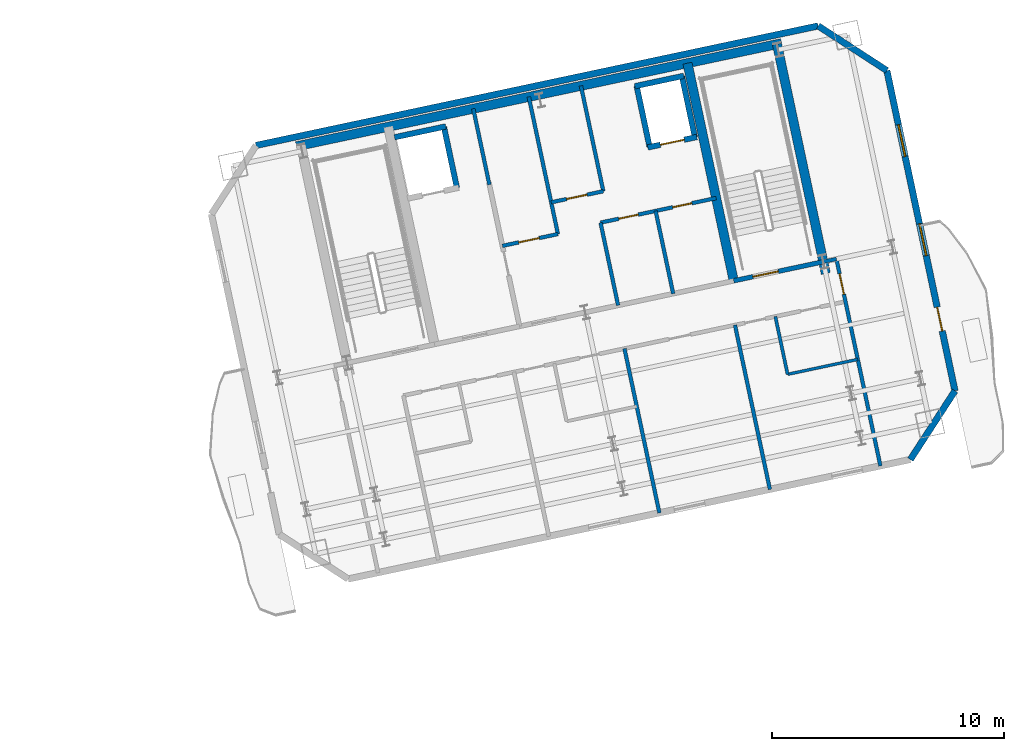
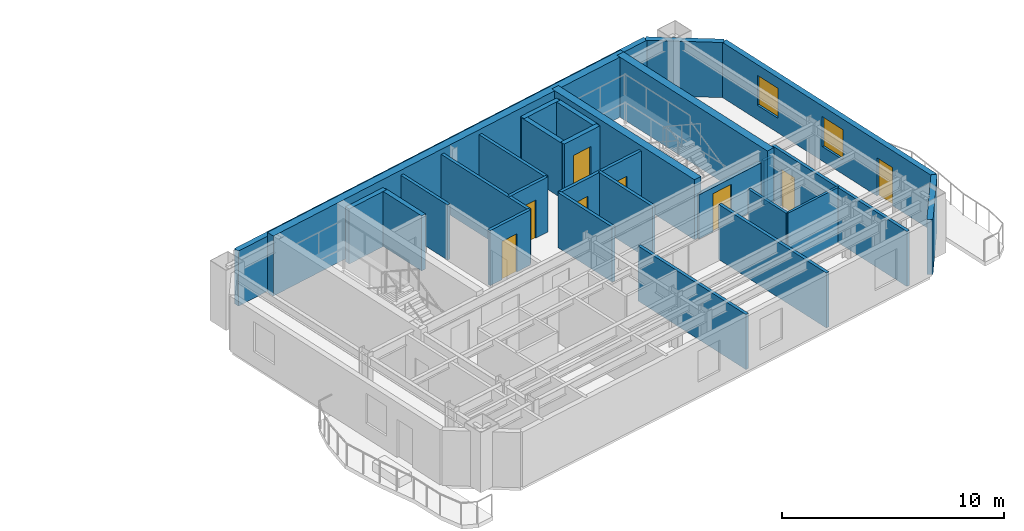
# One storey, part 9 of 14: 28 walls, 8 doors, 2 windows, 10 openings.
"""IFC4 building model written with IfcOpenShell, lengths in metres."""

from ifc_helpers import new_model, si_unit, direction, frame, frame_2d, origin, place, context, subcontext, project, spatial, rectangle, extrude, material, layer, layer_set, type_object, element, fill, save


model = new_model("IFC4")

# Units and contexts
model_context = context("Model", 3, precision=1e-05, world=origin(), true_north=direction((0.0, 1.0)))
body_context = subcontext(model_context, "Body", "Model", "MODEL_VIEW")
ifc_project = project(units=[si_unit("LENGTHUNIT", "METRE"), si_unit("AREAUNIT", "SQUARE_METRE"), si_unit("VOLUMEUNIT", "CUBIC_METRE"), si_unit("PLANEANGLEUNIT", "RADIAN"), si_unit("MASSUNIT", "GRAM", prefix="KILO")], contexts=[model_context])

# Site, building, storey
site_placement = place(None, origin())
site = spatial("IfcSite", under=ifc_project, at=site_placement, CompositionType="ELEMENT")
building_placement = place(site_placement, origin())
building = spatial("IfcBuilding", under=site, at=building_placement, Name="Haevon Station Towers", CompositionType="ELEMENT")
storey_placement = place(building_placement, frame((0.0, 0.0, 212.10009765625)))
storey = spatial("IfcBuildingStorey", under=building, at=storey_placement, Name="L58", CompositionType="ELEMENT", Elevation=212.10009765625)

# Wall, opening, door
ifc_material_1 = material(Name="Gypsum board on steel stud", Category="steel")
ifc_layer_1 = layer(ifc_material_1, 0.199951171875)
ifc_layer_set_1 = layer_set([ifc_layer_1], Name="Gypsum board on steel stud")
wall_type_1 = type_object("IfcWallType", Name="WL-COR200", PredefinedType="PARTITIONING", material=ifc_layer_set_1)
wall_1_placement = place(storey_placement, frame((115.4296875, 40.9873046875, 0.0), z_axis=(0.0, 0.0, 1.0), x_axis=(0.978146596989, 0.207916413008, 0.0)))
wall_1 = element("IfcWall", 1, at=wall_1_placement, inside=storey, type_object=wall_type_1, Name="WL-ST-ST4-L58", PredefinedType="PARTITIONING", context=body_context, shape_type="SweptSolid", body=[
    extrude(rectangle(XDim=3.9501953125, YDim=0.199951171875, at=frame_2d((1.97509765625, 0.0))), origin(), (0.0, 0.0, 1.0), 2.429931640625),
])
opening_1_placement = place(wall_1_placement, frame((0.85009765625, 0.0, 0.0)))
opening_1 = element("IfcOpeningElement", 2, at=opening_1_placement, cuts=wall_1, Name="Opening DR-ST-ST4-L58", PredefinedType="OPENING", context=body_context, shape_type="SweptSolid", body=[
    extrude(rectangle(XDim=1.1201171875, YDim=2.10009765625, at=frame_2d((0.56005859375, 1.050048828125))), frame((0.0, 0.10986328125, 0.0), z_axis=(0.0, -1.0, 0.0), x_axis=(1.0, 0.0, 0.0)), (0.0, 0.0, 1.0), 0.219970703125),
])
ifc_material_2 = material(Name="Engineered oak timber", Category="wood")
door_type_1 = type_object("IfcDoorType", Name="DR-ST-1120", OperationType="NOTDEFINED", PredefinedType="DOOR", material=ifc_material_2)
door_1_placement = place(opening_1_placement, origin())
door_1 = element("IfcDoor", 3, at=door_1_placement, inside=storey, type_object=door_type_1, Name="L58 Escape Stair ST4 Fire Door", OperationType="SINGLE_SWING_LEFT", OverallHeight=2.10009765625, OverallWidth=1.1201171875, PredefinedType="DOOR", context=body_context, shape_type="SweptSolid", body=[
    extrude(rectangle(XDim=1.1201171875, YDim=2.10009765625, at=frame_2d((0.56005859375, 1.050048828125))), frame((0.0, 0.02490234375, 0.0), z_axis=(0.0, -1.0, 0.0), x_axis=(1.0, 0.0, 0.0)), (0.0, 0.0, 1.0), 0.050048828125),
])
fill(opening_1, door_1)

# Walls
ifc_material_3 = material(Name="Concrete C60/75", Category="concrete")
ifc_layer_2 = layer(ifc_material_3, 0.39990234375)
ifc_layer_set_2 = layer_set([ifc_layer_2], Name="Concrete C60/75")
wall_type_2 = type_object("IfcWallType", Name="WL-CR400", PredefinedType="SHEAR", material=ifc_layer_set_2)
wall_2_placement = place(storey_placement, frame((96.560791015625, 46.791015625, 0.0), z_axis=(0.0, 0.0, 1.0), x_axis=(0.978148498705, 0.207907466152, 0.0)))
element("IfcWall", 4, at=wall_2_placement, inside=storey, type_object=wall_type_2, Name="WL-T2CR-L58-N", PredefinedType="SHEAR", context=body_context, shape_type="SweptSolid", body=[
    extrude(rectangle(XDim=21.39990234375, YDim=0.39990234375, at=frame_2d((10.699951171875, 0.0))), origin(), (0.0, 0.0, 1.0), 3.2998046875),
])
wall_3_placement = place(storey_placement, frame((119.401611328125, 41.2998046875, 0.0), z_axis=(0.0, 0.0, 1.0), x_axis=(-0.207904342798, 0.978149162575, 0.0)))
element("IfcWall", 5, at=wall_3_placement, inside=storey, type_object=wall_type_2, Name="WL-T2CR-L58-E", PredefinedType="SHEAR", context=body_context, shape_type="SweptSolid", body=[
    extrude(rectangle(XDim=10.1201171875, YDim=0.39990234375, at=frame_2d((5.06005859375, 0.0))), origin(), (0.0, 0.0, 1.0), 3.2998046875),
])
wall_4_placement = place(storey_placement, frame((115.4296875, 40.9873046875, 0.0), z_axis=(0.0, 0.0, 1.0), x_axis=(-0.207903162969, 0.978149413345, 0.0)))
element("IfcWall", 6, at=wall_4_placement, inside=storey, type_object=wall_type_2, Name="WL-T2CR-L58-M2", PredefinedType="SHEAR", context=body_context, shape_type="SweptSolid", body=[
    extrude(rectangle(XDim=9.599853515625, YDim=0.39990234375, at=frame_2d((4.7998046875, 0.0))), origin(), (0.0, 0.0, 1.0), 3.2998046875),
])
ifc_material_4 = material(Name="Precast concrete C45/55", Category="concrete")
ifc_layer_3 = layer(ifc_material_4, 0.280029296875)
ifc_layer_set_3 = layer_set([ifc_layer_3], Name="Precast concrete C45/55")
wall_type_3 = type_object("IfcWallType", Name="WL-EXT-PIER280", PredefinedType="SOLIDWALL", material=ifc_layer_set_3)
wall_5_placement = place(storey_placement, frame((94.814697265625, 46.828857421875, 0.0), z_axis=(0.0, 0.0, 1.0), x_axis=(0.97814726544, 0.207913268245, 0.0)))
element("IfcWall", 7, at=wall_5_placement, inside=storey, type_object=wall_type_3, Name="WL-T2-L58-N", PredefinedType="SOLIDWALL", context=body_context, shape_type="SweptSolid", body=[
    extrude(rectangle(XDim=24.800048828125, YDim=0.280029296875, at=frame_2d((12.39990234375, 0.0))), origin(), (0.0, 0.0, 1.0), 3.02978515625),
])
wall_6_placement = place(storey_placement, frame((119.07275390625, 51.985107421875, 0.0), z_axis=(0.0, 0.0, 1.0), x_axis=(0.838672309694, -0.544636352948, 0.0)))
element("IfcWall", 8, at=wall_6_placement, inside=storey, type_object=wall_type_3, Name="WL-T2-L58-NEC", PredefinedType="SOLIDWALL", context=body_context, shape_type="SweptSolid", body=[
    extrude(rectangle(XDim=3.535400390625, YDim=0.280029296875, at=frame_2d((1.767578125, 0.0))), origin(), (0.0, 0.0, 1.0), 3.02978515625),
])

# Wall, openings, door, windows
wall_7_placement = place(storey_placement, frame((122.037841796875, 50.0595703125, 0.0), z_axis=(0.0, 0.0, 1.0), x_axis=(0.207924054969, -0.978144972571, 0.0)))
wall_7 = element("IfcWall", 9, at=wall_7_placement, inside=storey, type_object=wall_type_3, Name="WL-T2-L58-E", PredefinedType="SOLIDWALL", context=body_context, shape_type="SweptSolid", body=[
    extrude(rectangle(XDim=14.130126953125, YDim=0.280029296875, at=frame_2d((7.06494140625, 0.0))), origin(), (0.0, 0.0, 1.0), 3.02978515625),
])
opening_2_placement = place(wall_7_placement, frame((10.43994140625, 0.0, 0.0)))
opening_2 = element("IfcOpeningElement", 10, at=opening_2_placement, cuts=wall_7, Name="Opening DR-T2-SCAL-L58-E", PredefinedType="OPENING", context=body_context, shape_type="SweptSolid", body=[
    extrude(rectangle(XDim=1.050048828125, YDim=2.10009765625, at=frame_2d((0.52490234375, 1.050048828125))), frame((0.0, 0.14990234375, 0.0), z_axis=(0.0, -1.0, 0.0), x_axis=(1.0, 0.0, 0.0)), (0.0, 0.0, 1.0), 0.300048828125),
])
opening_3_placement = place(wall_7_placement, frame((2.389892578125, 0.0, 0.800048828125)))
opening_3 = element("IfcOpeningElement", 11, at=opening_3_placement, cuts=wall_7, Name="Opening WN-END140", PredefinedType="OPENING", context=body_context, shape_type="SweptSolid", body=[
    extrude(rectangle(XDim=1.39990234375, YDim=1.64990234375, at=frame_2d((0.699951171875, 0.824951171875))), frame((0.0, 0.14990234375, 0.0), z_axis=(0.0, -1.0, 0.0), x_axis=(1.0, 0.0, 0.0)), (0.0, 0.0, 1.0), 0.300048828125),
])
opening_4_placement = place(wall_7_placement, frame((6.762451171875, 0.0, 0.800048828125)))
opening_4 = element("IfcOpeningElement", 12, at=opening_4_placement, cuts=wall_7, Name="Opening WN-END140", PredefinedType="OPENING", context=body_context, shape_type="SweptSolid", body=[
    extrude(rectangle(XDim=1.39990234375, YDim=1.64990234375, at=frame_2d((0.699951171875, 0.824951171875))), frame((0.0, 0.14990234375, 0.0), z_axis=(0.0, -1.0, 0.0), x_axis=(1.0, 0.0, 0.0)), (0.0, 0.0, 1.0), 0.300048828125),
])
ifc_material_5 = material(Name="Thermally broken anodised aluminium and laminated safety glass", Category="aluminium")
door_type_2 = type_object("IfcDoorType", Name="DR-BALC-1050", OperationType="NOTDEFINED", PredefinedType="DOOR", material=ifc_material_5)
door_2_placement = place(opening_2_placement, origin())
door_2 = element("IfcDoor", 13, at=door_2_placement, inside=storey, type_object=door_type_2, Name="Tower 2 L58 East Scalloped Balcony Door", OperationType="SINGLE_SWING_LEFT", OverallHeight=2.10009765625, OverallWidth=1.050048828125, PredefinedType="DOOR", context=body_context, shape_type="SweptSolid", body=[
    extrude(rectangle(XDim=1.050048828125, YDim=2.10009765625, at=frame_2d((0.52490234375, 1.050048828125))), frame((0.0, 0.02490234375, 0.0), z_axis=(0.0, -1.0, 0.0), x_axis=(1.0, 0.0, 0.0)), (0.0, 0.0, 1.0), 0.050048828125),
])
fill(opening_2, door_2)
ifc_material_6 = material(Name="Low-E triple glazing in thermally broken aluminium", Category="aluminium")
window_type = type_object("IfcWindowType", Name="WN-END140", PartitioningType="SINGLE_PANEL", PredefinedType="WINDOW", material=ifc_material_6)
window_1_placement = place(opening_3_placement, origin())
window_1 = element("IfcWindow", 14, at=window_1_placement, inside=storey, type_object=window_type, Name="WN-T2-L58-E01", OverallHeight=1.64990234375, OverallWidth=1.39990234375, PartitioningType="SINGLE_PANEL", PredefinedType="WINDOW", context=body_context, shape_type="SweptSolid", body=[
    extrude(rectangle(XDim=1.39990234375, YDim=1.64990234375, at=frame_2d((0.699951171875, 0.824951171875))), frame((0.0, 0.030029296875, 0.0), z_axis=(0.0, -1.0, 0.0), x_axis=(1.0, 0.0, 0.0)), (0.0, 0.0, 1.0), 0.06005859375),
])
fill(opening_3, window_1)
window_2_placement = place(opening_4_placement, origin())
window_2 = element("IfcWindow", 15, at=window_2_placement, inside=storey, type_object=window_type, Name="WN-T2-L58-E02", OverallHeight=1.64990234375, OverallWidth=1.39990234375, PartitioningType="SINGLE_PANEL", PredefinedType="WINDOW", context=body_context, shape_type="SweptSolid", body=[
    extrude(rectangle(XDim=1.39990234375, YDim=1.64990234375, at=frame_2d((0.699951171875, 0.824951171875))), frame((0.0, 0.030029296875, 0.0), z_axis=(0.0, -1.0, 0.0), x_axis=(1.0, 0.0, 0.0)), (0.0, 0.0, 1.0), 0.06005859375),
])
fill(opening_4, window_2)

# Walls
wall_8_placement = place(storey_placement, frame((124.975830078125, 36.23828125, 0.0), z_axis=(0.0, 0.0, 1.0), x_axis=(-0.544684921471, -0.838640767148, 0.0)))
element("IfcWall", 16, at=wall_8_placement, inside=storey, type_object=wall_type_3, Name="WL-T2-L58-SEC", PredefinedType="SOLIDWALL", context=body_context, shape_type="SweptSolid", body=[
    extrude(rectangle(XDim=3.53564453125, YDim=0.280029296875, at=frame_2d((1.767822265625, 0.0))), origin(), (0.0, 0.0, 1.0), 3.02978515625),
])
ifc_layer_4 = layer(ifc_material_1, 0.125)
ifc_layer_set_4 = layer_set([ifc_layer_4], Name="Gypsum board on steel stud")
wall_type_4 = type_object("IfcWallType", Name="WL-PRT125", PredefinedType="PARTITIONING", material=ifc_layer_set_4)
wall_9_placement = place(storey_placement, frame((117.75439453125, 36.952392578125, 0.0), z_axis=(0.0, 0.0, 1.0), x_axis=(0.978142809708, 0.207934229547, 0.0)))
element("IfcWall", 17, at=wall_9_placement, inside=storey, type_object=wall_type_4, Name="WL-T2PT-L58-13", PredefinedType="PARTITIONING", context=body_context, shape_type="SweptSolid", body=[
    extrude(rectangle(XDim=3.094970703125, YDim=0.125, at=frame_2d((1.54736328125, 0.0))), origin(), (0.0, 0.0, 1.0), 3.02978515625),
])
ifc_layer_5 = layer(ifc_material_1, 0.139892578125)
ifc_layer_set_5 = layer_set([ifc_layer_5], Name="Gypsum board on steel stud")
wall_type_5 = type_object("IfcWallType", Name="WL-PRT140", PredefinedType="PARTITIONING", material=ifc_layer_set_5)
wall_10_placement = place(storey_placement, frame((117.75439453125, 36.952392578125, 0.0), z_axis=(0.0, 0.0, 1.0), x_axis=(-0.207848450565, 0.978161040728, 0.0)))
element("IfcWall", 18, at=wall_10_placement, inside=storey, type_object=wall_type_5, Name="WL-T2PT-L58-14", PredefinedType="PARTITIONING", context=body_context, shape_type="SweptSolid", body=[
    extrude(rectangle(XDim=2.550048828125, YDim=0.139892578125, at=frame_2d((1.27490234375, 0.0))), origin(), (0.0, 0.0, 1.0), 3.02978515625),
])
ifc_layer_6 = layer(ifc_material_1, 0.159912109375)
ifc_layer_set_6 = layer_set([ifc_layer_6], Name="Gypsum board on steel stud")
wall_type_6 = type_object("IfcWallType", Name="WL-PRT160", PredefinedType="PARTITIONING", material=ifc_layer_set_6)
wall_11_placement = place(storey_placement, frame((104.88671875, 45.135986328125, 0.0), z_axis=(0.0, 0.0, 1.0), x_axis=(-0.207846553267, 0.978161443881, 0.0)))
element("IfcWall", 19, at=wall_11_placement, inside=storey, type_object=wall_type_6, Name="WL-T2CW-L58-01", PredefinedType="PARTITIONING", context=body_context, shape_type="SweptSolid", body=[
    extrude(rectangle(XDim=3.35009765625, YDim=0.159912109375, at=frame_2d((1.675048828125, 0.0))), origin(), (0.0, 0.0, 1.0), 3.02978515625),
])

# Wall, opening, door
wall_12_placement = place(storey_placement, frame((105.4482421875, 42.494873046875, 0.0), z_axis=(0.0, 0.0, 1.0), x_axis=(0.978136559131, 0.207963630695, 0.0)))
wall_12 = element("IfcWall", 20, at=wall_12_placement, inside=storey, type_object=wall_type_6, Name="WL-T2CW-L58-02", PredefinedType="PARTITIONING", context=body_context, shape_type="SweptSolid", body=[
    extrude(rectangle(XDim=2.449951171875, YDim=0.159912109375, at=frame_2d((1.22509765625, 0.0))), origin(), (0.0, 0.0, 1.0), 3.02978515625),
])
opening_5_placement = place(wall_12_placement, frame((0.719970703125, 0.0, 0.0)))
opening_5 = element("IfcOpeningElement", 21, at=opening_5_placement, cuts=wall_12, Name="Opening DR-WL-T2CW-L58-02-1", PredefinedType="OPENING", context=body_context, shape_type="SweptSolid", body=[
    extrude(rectangle(XDim=0.89990234375, YDim=2.10009765625, at=frame_2d((0.449951171875, 1.050048828125))), frame((0.0, 0.08984375, 0.0), z_axis=(0.0, -1.0, 0.0), x_axis=(1.0, 0.0, 0.0)), (0.0, 0.0, 1.0), 0.179931640625),
])
door_type_3 = type_object("IfcDoorType", Name="DR-FD60-900", OperationType="NOTDEFINED", PredefinedType="DOOR", material=ifc_material_2)
door_3_placement = place(opening_5_placement, origin())
door_3 = element("IfcDoor", 22, at=door_3_placement, inside=storey, type_object=door_type_3, Name="L58 Tower 2 Core Room Door 2-1", OperationType="SINGLE_SWING_RIGHT", OverallHeight=2.10009765625, OverallWidth=0.89990234375, PredefinedType="DOOR", context=body_context, shape_type="SweptSolid", body=[
    extrude(rectangle(XDim=0.89990234375, YDim=2.10009765625, at=frame_2d((0.449951171875, 1.050048828125))), frame((0.0, 0.02490234375, 0.0), z_axis=(0.0, -1.0, 0.0), x_axis=(1.0, 0.0, 0.0)), (0.0, 0.0, 1.0), 0.050048828125),
])
fill(opening_5, door_3)

# Wall
wall_13_placement = place(storey_placement, frame((107.8447265625, 43.00439453125, 0.0), z_axis=(0.0, 0.0, 1.0), x_axis=(-0.207944180755, 0.978140694221, 0.0)))
element("IfcWall", 23, at=wall_13_placement, inside=storey, type_object=wall_type_6, Name="WL-T2CW-L58-03", PredefinedType="PARTITIONING", context=body_context, shape_type="SweptSolid", body=[
    extrude(rectangle(XDim=6.050048828125, YDim=0.159912109375, at=frame_2d((3.02490234375, 0.0))), origin(), (0.0, 0.0, 1.0), 3.02978515625),
])

# Wall, opening, door
wall_14_placement = place(storey_placement, frame((107.553466796875, 44.373779296875, 0.0), z_axis=(0.0, 0.0, 1.0), x_axis=(0.978141312374, 0.207941273027, 0.0)))
wall_14 = element("IfcWall", 24, at=wall_14_placement, inside=storey, type_object=wall_type_6, Name="WL-T2CW-L58-04", PredefinedType="PARTITIONING", context=body_context, shape_type="SweptSolid", body=[
    extrude(rectangle(XDim=2.300048828125, YDim=0.159912109375, at=frame_2d((1.14990234375, 0.0))), origin(), (0.0, 0.0, 1.0), 3.02978515625),
])
opening_6_placement = place(wall_14_placement, frame((0.679931640625, 0.0, 0.0)))
opening_6 = element("IfcOpeningElement", 25, at=opening_6_placement, cuts=wall_14, Name="Opening DR-WL-T2CW-L58-04-1", PredefinedType="OPENING", context=body_context, shape_type="SweptSolid", body=[
    extrude(rectangle(XDim=0.89990234375, YDim=2.10009765625, at=frame_2d((0.449951171875, 1.050048828125))), frame((0.0, 0.08984375, 0.0), z_axis=(0.0, -1.0, 0.0), x_axis=(1.0, 0.0, 0.0)), (0.0, 0.0, 1.0), 0.179931640625),
])
door_4_placement = place(opening_6_placement, origin())
door_4 = element("IfcDoor", 26, at=door_4_placement, inside=storey, type_object=door_type_3, Name="L58 Tower 2 Core Room Door 4-1", OperationType="SINGLE_SWING_LEFT", OverallHeight=2.10009765625, OverallWidth=0.89990234375, PredefinedType="DOOR", context=body_context, shape_type="SweptSolid", body=[
    extrude(rectangle(XDim=0.89990234375, YDim=2.10009765625, at=frame_2d((0.449951171875, 1.050048828125))), frame((0.0, 0.02490234375, 0.0), z_axis=(0.0, -1.0, 0.0), x_axis=(1.0, 0.0, 0.0)), (0.0, 0.0, 1.0), 0.050048828125),
])
fill(opening_6, door_4)

# Walls
wall_15_placement = place(storey_placement, frame((109.80322265625, 44.85205078125, 0.0), z_axis=(0.0, 0.0, 1.0), x_axis=(-0.207915270313, 0.978146839882, 0.0)))
element("IfcWall", 27, at=wall_15_placement, inside=storey, type_object=wall_type_6, Name="WL-T2CW-L58-05", PredefinedType="PARTITIONING", context=body_context, shape_type="SweptSolid", body=[
    extrude(rectangle(XDim=4.64990234375, YDim=0.159912109375, at=frame_2d((2.324951171875, 0.0))), origin(), (0.0, 0.0, 1.0), 3.02978515625),
])
for number, where, z_axis, x_axis, name in (
    (28, (110.441162109375, 39.927001953125, 0.0), (0.0, 0.0, 1.0), (-0.207884354546, 0.978153410838, 0.0), "WL-T2CW-L58-06"),
    (29, (112.818115234375, 40.43212890625, 0.0), (0.0, 0.0, 1.0), (-0.207884354546, 0.978153410838, 0.0), "WL-T2CW-L58-07"),
):
    element("IfcWall", number, at=place(storey_placement, frame(where, z_axis=z_axis, x_axis=x_axis)), inside=storey, type_object=wall_type_6, Name=name, PredefinedType="PARTITIONING", context=body_context, shape_type="SweptSolid", body=[
        extrude(rectangle(XDim=3.650146484375, YDim=0.159912109375, at=frame_2d((1.8251953125, 0.0))), origin(), (0.0, 0.0, 1.0), 3.02978515625),
    ])

# Wall, openings, doors
wall_16_placement = place(storey_placement, frame((109.682373046875, 43.497314453125, 0.0), z_axis=(0.0, 0.0, 1.0), x_axis=(0.978149238447, 0.207903985835, 0.0)))
wall_16 = element("IfcWall", 30, at=wall_16_placement, inside=storey, type_object=wall_type_6, Name="WL-T2CW-L58-08", PredefinedType="PARTITIONING", context=body_context, shape_type="SweptSolid", body=[
    extrude(rectangle(XDim=5.099853515625, YDim=0.159912109375, at=frame_2d((2.5498046875, 0.0))), origin(), (0.0, 0.0, 1.0), 3.02978515625),
])
opening_7_placement = place(wall_16_placement, frame((0.81005859375, 0.0, 0.0)))
opening_7 = element("IfcOpeningElement", 31, at=opening_7_placement, cuts=wall_16, Name="Opening DR-WL-T2CW-L58-08-1", PredefinedType="OPENING", context=body_context, shape_type="SweptSolid", body=[
    extrude(rectangle(XDim=0.85009765625, YDim=2.050048828125, at=frame_2d((0.425048828125, 1.02490234375))), frame((0.0, 0.08984375, 0.0), z_axis=(0.0, -1.0, 0.0), x_axis=(1.0, 0.0, 0.0)), (0.0, 0.0, 1.0), 0.179931640625),
])
opening_8_placement = place(wall_16_placement, frame((3.179931640625, 0.0, 0.0)))
opening_8 = element("IfcOpeningElement", 32, at=opening_8_placement, cuts=wall_16, Name="Opening DR-WL-T2CW-L58-08-2", PredefinedType="OPENING", context=body_context, shape_type="SweptSolid", body=[
    extrude(rectangle(XDim=0.85009765625, YDim=2.050048828125, at=frame_2d((0.425048828125, 1.02490234375))), frame((0.0, 0.08984375, 0.0), z_axis=(0.0, -1.0, 0.0), x_axis=(1.0, 0.0, 0.0)), (0.0, 0.0, 1.0), 0.179931640625),
])
door_type_4 = type_object("IfcDoorType", Name="DR-FD30-850", OperationType="NOTDEFINED", PredefinedType="DOOR", material=ifc_material_2)
door_5_placement = place(opening_7_placement, origin())
door_5 = element("IfcDoor", 33, at=door_5_placement, inside=storey, type_object=door_type_4, Name="L58 Tower 2 Core Room Door 8-1", OperationType="SINGLE_SWING_RIGHT", OverallHeight=2.050048828125, OverallWidth=0.85009765625, PredefinedType="DOOR", context=body_context, shape_type="SweptSolid", body=[
    extrude(rectangle(XDim=0.85009765625, YDim=2.050048828125, at=frame_2d((0.425048828125, 1.02490234375))), frame((0.0, 0.02490234375, 0.0), z_axis=(0.0, -1.0, 0.0), x_axis=(1.0, 0.0, 0.0)), (0.0, 0.0, 1.0), 0.050048828125),
])
fill(opening_7, door_5)
door_6_placement = place(opening_8_placement, origin())
door_6 = element("IfcDoor", 34, at=door_6_placement, inside=storey, type_object=door_type_4, Name="L58 Tower 2 Core Room Door 8-2", OperationType="SINGLE_SWING_LEFT", OverallHeight=2.050048828125, OverallWidth=0.85009765625, PredefinedType="DOOR", context=body_context, shape_type="SweptSolid", body=[
    extrude(rectangle(XDim=0.85009765625, YDim=2.050048828125, at=frame_2d((0.425048828125, 1.02490234375))), frame((0.0, 0.02490234375, 0.0), z_axis=(0.0, -1.0, 0.0), x_axis=(1.0, 0.0, 0.0)), (0.0, 0.0, 1.0), 0.050048828125),
])
fill(opening_8, door_6)

# Wall
wall_17_placement = place(storey_placement, frame((119.29345703125, 41.80859375, 0.0), z_axis=(0.0, 0.0, 1.0), x_axis=(0.978146012851, 0.207919161079, 0.0)))
element("IfcWall", 35, at=wall_17_placement, inside=storey, type_object=wall_type_6, Name="WL-T2PT-L58-03", PredefinedType="PARTITIONING", context=body_context, shape_type="SweptSolid", body=[
    extrude(rectangle(XDim=0.580078125, YDim=0.159912109375, at=frame_2d((0.2900390625, 0.0))), origin(), (0.0, 0.0, 1.0), 2.429931640625),
])

# Wall, opening, door
wall_18_placement = place(storey_placement, frame((121.759033203125, 32.99853515625, 0.0), z_axis=(0.0, 0.0, 1.0), x_axis=(-0.207903528818, 0.978149335585, 0.0)))
wall_18 = element("IfcWall", 36, at=wall_18_placement, inside=storey, type_object=wall_type_6, Name="WL-T2PT-L58-05", PredefinedType="PARTITIONING", context=body_context, shape_type="SweptSolid", body=[
    extrude(rectangle(XDim=9.130126953125, YDim=0.159912109375, at=frame_2d((4.56494140625, 0.0))), origin(), (0.0, 0.0, 1.0), 3.02978515625),
])
opening_9_placement = place(wall_18_placement, frame((7.570068359375, 0.0, 0.0)))
opening_9 = element("IfcOpeningElement", 37, at=opening_9_placement, cuts=wall_18, Name="Opening DR-WL-T2PT-L58-05-01", PredefinedType="OPENING", context=body_context, shape_type="SweptSolid", body=[
    extrude(rectangle(XDim=0.89990234375, YDim=2.050048828125, at=frame_2d((0.449951171875, 1.02490234375))), frame((0.0, 0.08984375, 0.0), z_axis=(0.0, -1.0, 0.0), x_axis=(1.0, 0.0, 0.0)), (0.0, 0.0, 1.0), 0.179931640625),
])
door_type_5 = type_object("IfcDoorType", Name="DR-INT-900", OperationType="NOTDEFINED", PredefinedType="DOOR", material=ifc_material_2)
door_7_placement = place(opening_9_placement, origin())
door_7 = element("IfcDoor", 38, at=door_7_placement, inside=storey, type_object=door_type_5, Name="L58 Tower 2 Room Door 5-1", OperationType="SINGLE_SWING_LEFT", OverallHeight=2.050048828125, OverallWidth=0.89990234375, PredefinedType="DOOR", context=body_context, shape_type="SweptSolid", body=[
    extrude(rectangle(XDim=0.89990234375, YDim=2.050048828125, at=frame_2d((0.449951171875, 1.02490234375))), frame((0.0, 0.02490234375, 0.0), z_axis=(0.0, -1.0, 0.0), x_axis=(1.0, 0.0, 0.0)), (0.0, 0.0, 1.0), 0.050048828125),
])
fill(opening_9, door_7)

# Walls
for number, where, z_axis, x_axis, name in (
    (39, (112.22216796875, 30.971435546875, 0.0), (0.0, 0.0, 1.0), (-0.207939706685, 0.978141645358, 0.0), "WL-T2PT-L58-11"),
    (40, (116.990478515625, 31.985107421875, 0.0), (0.0, 0.0, 1.0), (-0.207907487947, 0.978148494072, 0.0), "WL-T2PT-L58-12"),
):
    element("IfcWall", number, at=place(storey_placement, frame(where, z_axis=z_axis, x_axis=x_axis)), inside=storey, type_object=wall_type_6, Name=name, PredefinedType="PARTITIONING", context=body_context, shape_type="SweptSolid", body=[
        extrude(rectangle(XDim=7.25, YDim=0.159912109375, at=frame_2d((3.625, 0.0))), origin(), (0.0, 0.0, 1.0), 3.02978515625),
    ])
ifc_material_7 = material(Name="Concrete C40/50", Category="concrete")
ifc_layer_7 = layer(ifc_material_7, 0.239990234375)
ifc_layer_set_7 = layer_set([ifc_layer_7], Name="Concrete C40/50")
wall_type_7 = type_object("IfcWallType", Name="WL-SHF240", PredefinedType="PARTITIONING", material=ifc_layer_set_7)
wall_19_placement = place(storey_placement, frame((100.79248046875, 47.179443359375, 0.0), z_axis=(0.0, 0.0, 1.0), x_axis=(0.978162968872, 0.207839376268, 0.0)))
element("IfcWall", 41, at=wall_19_placement, inside=storey, type_object=wall_type_7, Name="WL-SHF-FL2-L58-N", PredefinedType="PARTITIONING", context=body_context, shape_type="SweptSolid", body=[
    extrude(rectangle(XDim=2.260009765625, YDim=0.239990234375, at=frame_2d((1.1298828125, 0.0))), origin(), (0.0, 0.0, 1.0), 3.02978515625),
])
wall_20_placement = place(storey_placement, frame((103.486328125, 44.99169921875, 0.0), z_axis=(0.0, 0.0, 1.0), x_axis=(-0.207978798957, 0.978133334052, 0.0)))
element("IfcWall", 42, at=wall_20_placement, inside=storey, type_object=wall_type_7, Name="WL-SHF-FL2-L58-E", PredefinedType="PARTITIONING", context=body_context, shape_type="SweptSolid", body=[
    extrude(rectangle(XDim=2.699951171875, YDim=0.239990234375, at=frame_2d((1.35009765625, 0.0))), origin(), (0.0, 0.0, 1.0), 3.02978515625),
])

# Wall, opening, door
wall_21_placement = place(storey_placement, frame((111.72216796875, 46.7421875, 0.0), z_axis=(0.0, 0.0, 1.0), x_axis=(0.97813528961, 0.207969601673, 0.0)))
wall_21 = element("IfcWall", 43, at=wall_21_placement, inside=storey, type_object=wall_type_7, Name="WL-SHF-PL10-L58", PredefinedType="PARTITIONING", context=body_context, shape_type="SweptSolid", body=[
    extrude(rectangle(XDim=2.159912109375, YDim=0.239990234375, at=frame_2d((1.080078125, 0.0))), origin(), (0.0, 0.0, 1.0), 3.02978515625),
])
opening_10_placement = place(wall_21_placement, frame((0.554931640625, 0.0, 0.0)))
opening_10 = element("IfcOpeningElement", 44, at=opening_10_placement, cuts=wall_21, Name="Opening LD-PL10-L58", PredefinedType="OPENING", context=body_context, shape_type="SweptSolid", body=[
    extrude(rectangle(XDim=1.050048828125, YDim=2.14990234375, at=frame_2d((0.52490234375, 1.074951171875))), frame((0.0, 0.1298828125, 0.0), z_axis=(0.0, -1.0, 0.0), x_axis=(1.0, 0.0, 0.0)), (0.0, 0.0, 1.0), 0.260009765625),
])
ifc_material_8 = material(Name="Stainless steel and rated core", Category="steel")
door_type_6 = type_object("IfcDoorType", Name="LD-PL1050", OperationType="SLIDING_TO_LEFT", PredefinedType="DOOR", material=ifc_material_8)
door_8_placement = place(opening_10_placement, origin())
door_8 = element("IfcDoor", 45, at=door_8_placement, inside=storey, type_object=door_type_6, Name="L58 Lift PL10 Sliding Landing Door", OperationType="SLIDING_TO_LEFT", OverallHeight=2.14990234375, OverallWidth=1.050048828125, PredefinedType="DOOR", context=body_context, shape_type="SweptSolid", body=[
    extrude(rectangle(XDim=1.050048828125, YDim=2.14990234375, at=frame_2d((0.52490234375, 1.074951171875))), frame((0.0, 0.02490234375, 0.0), z_axis=(0.0, -1.0, 0.0), x_axis=(1.0, 0.0, 0.0)), (0.0, 0.0, 1.0), 0.050048828125),
])
fill(opening_10, door_8)

# Walls
wall_22_placement = place(storey_placement, frame((111.160888671875, 49.38330078125, 0.0), z_axis=(0.0, 0.0, 1.0), x_axis=(0.978158276388, 0.207861459473, 0.0)))
element("IfcWall", 46, at=wall_22_placement, inside=storey, type_object=wall_type_7, Name="WL-SHF-PL10-L58-N", PredefinedType="PARTITIONING", context=body_context, shape_type="SweptSolid", body=[
    extrude(rectangle(XDim=2.159912109375, YDim=0.239990234375, at=frame_2d((1.080078125, 0.0))), origin(), (0.0, 0.0, 1.0), 3.02978515625),
])
for number, where, z_axis, x_axis, name in (
    (47, (111.800537109375, 46.7587890625, 0.0), (0.0, 0.0, 1.0), (-0.207960405185, 0.978137244908, 0.0), "WL-SHF-PL10-L58-W"),
    (48, (113.7568359375, 47.174560546875, 0.0), (0.0, 0.0, 1.0), (-0.207960405185, 0.978137244908, 0.0), "WL-SHF-PL10-L58-E"),
):
    element("IfcWall", number, at=place(storey_placement, frame(where, z_axis=z_axis, x_axis=x_axis)), inside=storey, type_object=wall_type_7, Name=name, PredefinedType="PARTITIONING", context=body_context, shape_type="SweptSolid", body=[
        extrude(rectangle(XDim=2.7001953125, YDim=0.239990234375, at=frame_2d((1.35009765625, 0.0))), origin(), (0.0, 0.0, 1.0), 3.02978515625),
    ])

save(model, "model.ifc")
